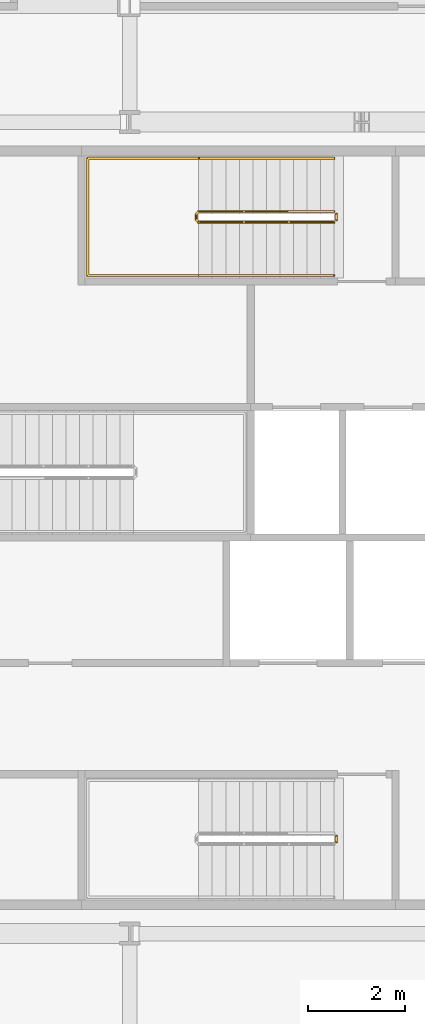
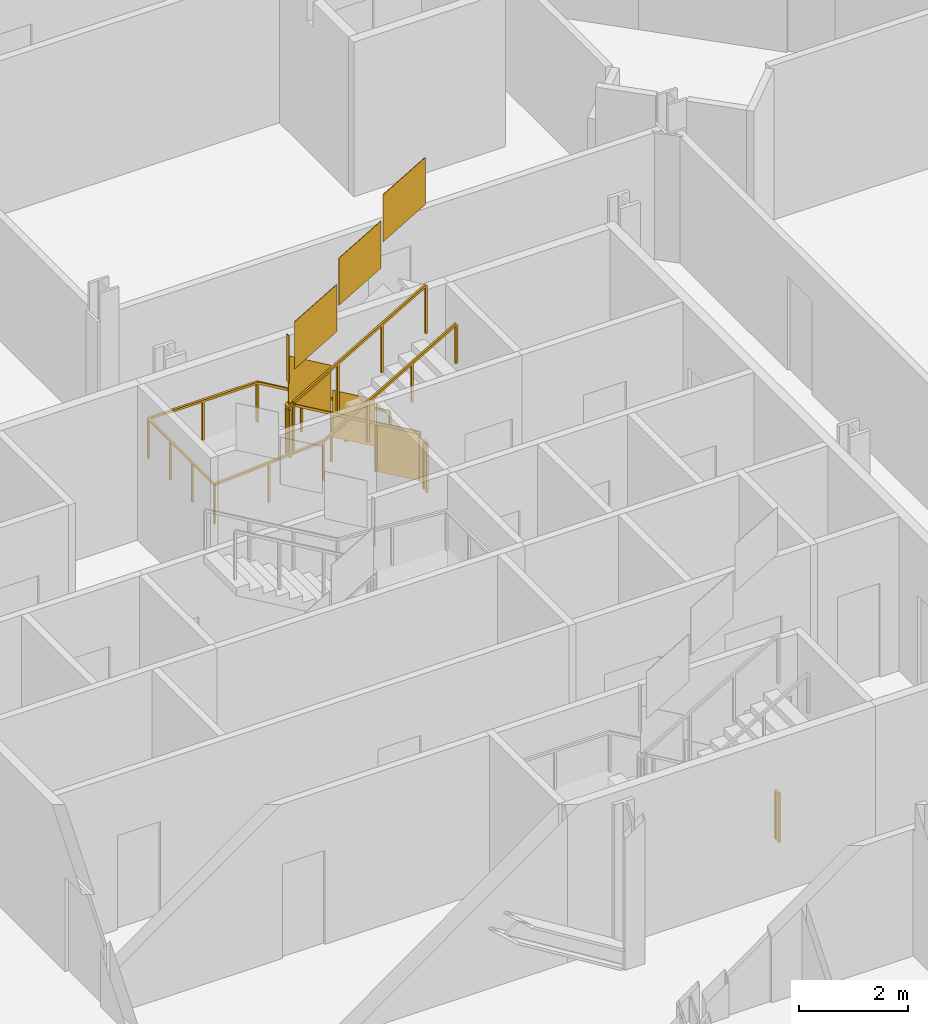
# One storey, part 19 of 21: 4 railings.
"""IFC4 building model written with IfcOpenShell, lengths in metres."""

import ifcopenshell
import ifcopenshell.guid

model = None  # the IFC model being written
_history = None  # IfcOwnerHistory: only IFC2X3 demands one
_inside = {}  # id of a spatial element -> (the spatial element, [elements in it])
_under = {}  # id of a project, library or spatial element -> (it, [spatial elements below it])
_declared = {}  # id of a project -> (the project, [libraries it declares])
_typed = {}  # id of a type object -> (the type object, [elements of that type])
_made_of = {}  # id of a material, layer set ... -> (it, [elements and type objects made of it])


def new_model(schema):
    """Start an empty IFC model of exactly this schema.

    Asked for "IFC4X3", IfcOpenShell would pick the latest addendum, in which some entities
    have other attributes; the version numbers below select the first issue.
    IFC2X3 requires an IfcOwnerHistory on every rooted entity: one is made here for all.
    """
    global model, _history
    if schema == "IFC4X3":
        model = ifcopenshell.file(schema_version=(4, 3, 0, 0))
    else:
        model = ifcopenshell.file(schema=schema)
    _inside.clear()
    _under.clear()
    _declared.clear()
    _typed.clear()
    _made_of.clear()
    _history = None
    if model.schema == "IFC2X3":
        org = make("IfcOrganization", Name="unknown")
        user = make(
            "IfcPersonAndOrganization",
            ThePerson=make("IfcPerson", FamilyName="unknown"),
            TheOrganization=org,
        )
        app = make(
            "IfcApplication",
            ApplicationDeveloper=org,
            Version="unknown",
            ApplicationFullName="unknown",
            ApplicationIdentifier="unknown",
        )
        _history = make(
            "IfcOwnerHistory",
            OwningUser=user,
            OwningApplication=app,
            ChangeAction="ADDED",
            CreationDate=0,
        )
    return model


def make(cls, **values):
    """One entity of the class cls with the attributes given. An attribute that is None is left unset."""
    return model.create_entity(
        cls, **{name: value for name, value in values.items() if value is not None}
    )


def rooted(cls, **values):
    """An entity with a GlobalId (a new one), such as an element, a storey or a relation."""
    return make(cls, GlobalId=ifcopenshell.guid.new(), OwnerHistory=_history, **values)


def si_unit(unit_type, name, prefix=None):
    """IfcSIUnit, for example si_unit("LENGTHUNIT", "METRE", prefix="MILLI")."""
    return make("IfcSIUnit", UnitType=unit_type, Prefix=prefix, Name=name)


def assignment(units):
    """IfcUnitAssignment: the units of a project."""
    return None if units is None else make("IfcUnitAssignment", Units=units)


def point(xyz):
    """IfcCartesianPoint."""
    return None if xyz is None else make("IfcCartesianPoint", Coordinates=xyz)


def direction(xyz):
    """IfcDirection."""
    return None if xyz is None else make("IfcDirection", DirectionRatios=xyz)


def frame(location, z_axis=None, x_axis=None):
    """IfcAxis2Placement3D, a coordinate frame: its origin and axes. An axis left out is left unset."""
    return make(
        "IfcAxis2Placement3D",
        Location=point(location),
        Axis=direction(z_axis),
        RefDirection=direction(x_axis),
    )


def frame_2d(location, x_axis=None):
    """IfcAxis2Placement2D, a coordinate frame in the plane: its origin and x axis."""
    return make(
        "IfcAxis2Placement2D", Location=point(location), RefDirection=direction(x_axis)
    )


def origin():
    """The frame at (0, 0, 0) with its axes left unset."""
    return frame((0.0, 0.0, 0.0))


def origin_2d():
    """The frame at (0, 0) in the plane with its x axis left unset."""
    return frame_2d((0.0, 0.0))


def place(relative_to, where):
    """IfcLocalPlacement: puts the frame where relative to a parent placement (None: the world)."""
    return make(
        "IfcLocalPlacement", PlacementRelTo=relative_to, RelativePlacement=where
    )


def context(
    kind, dimensions, precision=None, world=None, true_north=None, identifier=None
):
    """IfcGeometricRepresentationContext, for example the 3D "Model" context."""
    return make(
        "IfcGeometricRepresentationContext",
        ContextIdentifier=identifier,
        ContextType=kind,
        CoordinateSpaceDimension=dimensions,
        Precision=precision,
        WorldCoordinateSystem=world,
        TrueNorth=true_north,
    )


def subcontext(parent, identifier, kind, view, scale=None):
    """IfcGeometricRepresentationSubContext, for example "Body" below "Model"."""
    return make(
        "IfcGeometricRepresentationSubContext",
        ContextIdentifier=identifier,
        ContextType=kind,
        ParentContext=parent,
        TargetScale=scale,
        TargetView=view,
    )


def project(units=None, contexts=None):
    """IfcProject with its units and contexts."""
    return rooted(
        "IfcProject",
        Name="project",
        RepresentationContexts=contexts,
        UnitsInContext=assignment(units),
    )


def spatial(cls, under=None, at=None, **own):
    """A site, building, storey or space (cls), placed at a placement, below another one or the project."""
    s = rooted(cls, ObjectPlacement=at, **own)
    if under is not None:
        _under.setdefault(under.id(), (under, []))[1].append(s)
    return s


def polyline(points):
    """IfcPolyline through the points."""
    return make("IfcPolyline", Points=[point(p) for p in points])


def profile(cls, at=None, kind="AREA", **sizes):
    """A parametric profile (cls). Its sizes go by their IFC names, for example OverallWidth=200.0."""
    return make(cls, ProfileType=kind, Position=at, **sizes)


def rectangle(**sizes):
    """IfcRectangleProfileDef."""
    return profile("IfcRectangleProfileDef", **sizes)


def outline(outer, holes=None, kind="AREA"):
    """IfcArbitraryClosedProfileDef: a profile drawn as a closed curve; with holes, ...WithVoids."""
    if holes is None:
        return make("IfcArbitraryClosedProfileDef", ProfileType=kind, OuterCurve=outer)
    return make(
        "IfcArbitraryProfileDefWithVoids",
        ProfileType=kind,
        OuterCurve=outer,
        InnerCurves=holes,
    )


def extrude(swept, where, along, depth):
    """IfcExtrudedAreaSolid: the profile swept, set in the frame where, extruded along a direction by depth."""
    return make(
        "IfcExtrudedAreaSolid",
        SweptArea=swept,
        Position=where,
        ExtrudedDirection=direction(along),
        Depth=depth,
    )


def shape(context_of_items, identifier, shape_type, items):
    """IfcShapeRepresentation: the items that make up one representation, for example the "Body"."""
    return make(
        "IfcShapeRepresentation",
        ContextOfItems=context_of_items,
        RepresentationIdentifier=identifier,
        RepresentationType=shape_type,
        Items=items,
    )


def material(Name=None, Category=None):
    """IfcMaterial."""
    return make("IfcMaterial", Name=Name, Category=Category)


def made_of(thing, what):
    """Note that an element or type object is made of a material, layer set ...; save() writes the relation."""
    if what is not None:
        _made_of.setdefault(what.id(), (what, []))[1].append(thing)
    return thing


def type_object(cls, material=None, **own):
    """A type object (cls), such as IfcWallType, which elements share."""
    return made_of(rooted(cls, **own), material)


def element(
    cls,
    number,
    at=None,
    inside=None,
    cuts=None,
    type_object=None,
    material=None,
    context=None,
    identifier="Body",
    shape_type=None,
    held_by="IfcProductDefinitionShape",
    body=None,
    shapes=None,
    **own,
):
    """One element of the class cls, such as IfcWall. Its Tag is "e" and its number.

    at: its placement. inside: the storey or other place that contains it. cuts: it is an
    opening in that element (IfcRelVoidsElement). A single representation is given by context,
    identifier, shape_type and body (its items); several are given by shapes. held_by: the class
    of the entity that holds the representations. save() writes the other relations.
    """
    e = rooted(cls, Tag="e%d" % number, ObjectPlacement=at, **own)
    if body is not None:
        shapes = [shape(context, identifier, shape_type, body)]
    if shapes is not None:
        e.Representation = make(held_by, Representations=shapes)
    if inside is not None:
        _inside.setdefault(inside.id(), (inside, []))[1].append(e)
    if cuts is not None:
        rooted(
            "IfcRelVoidsElement", RelatingBuildingElement=cuts, RelatedOpeningElement=e
        )
    if type_object is not None:
        _typed.setdefault(type_object.id(), (type_object, []))[1].append(e)
    return made_of(e, material)


def aggregate(whole, parts):
    """IfcRelAggregates: a whole, such as a stair, and the parts it consists of."""
    return rooted("IfcRelAggregates", RelatingObject=whole, RelatedObjects=parts)


def save(model, path):
    """Write the relations noted so far, then the file.

    IfcRelAggregates (storeys below a building ...), IfcRelContainedInSpatialStructure (elements
    in a storey), IfcRelDefinesByType, IfcRelAssociatesMaterial and IfcRelDeclares: one each for
    every whole, place, type object, material and project.
    """
    for whole, parts in _under.values():
        aggregate(whole, parts)
    for where, things in _inside.values():
        rooted(
            "IfcRelContainedInSpatialStructure",
            RelatedElements=things,
            RelatingStructure=where,
        )
    for kind, things in _typed.values():
        rooted("IfcRelDefinesByType", RelatedObjects=things, RelatingType=kind)
    for what, things in _made_of.values():
        rooted("IfcRelAssociatesMaterial", RelatedObjects=things, RelatingMaterial=what)
    for by, libraries in _declared.values():
        rooted("IfcRelDeclares", RelatingContext=by, RelatedDefinitions=libraries)
    model.write(path)


model = new_model("IFC4")

# Units and contexts
model_context = context("Model", 3, precision=1e-05, world=origin(), true_north=direction((0.0, 1.0)))
body_context = subcontext(model_context, "Body", "Model", "MODEL_VIEW")
ifc_project = project(units=[si_unit("LENGTHUNIT", "METRE"), si_unit("AREAUNIT", "SQUARE_METRE"), si_unit("VOLUMEUNIT", "CUBIC_METRE"), si_unit("PLANEANGLEUNIT", "RADIAN"), si_unit("MASSUNIT", "GRAM", prefix="KILO")], contexts=[model_context])

# Site, building, storey
site_placement = place(None, origin())
site = spatial("IfcSite", under=ifc_project, at=site_placement, CompositionType="ELEMENT")
building_placement = place(site_placement, origin())
building = spatial("IfcBuilding", under=site, at=building_placement, Name="Cairn Pilgrim Tower", CompositionType="ELEMENT")
storey_placement = place(building_placement, frame((0.0, 0.0, 139.800048828125)))
storey = spatial("IfcBuildingStorey", under=building, at=storey_placement, Name="L34", CompositionType="ELEMENT", Elevation=139.800048828125)

# Railings
ifc_material = material(Name="Painted steel", Category="steel")
railing_type_1 = type_object("IfcRailingType", Name="STAIR GUARD 1100", PredefinedType="GUARDRAIL", material=ifc_material)
railing_1_placement = place(storey_placement, frame((11.47509765625, -3.97509765625, 0.0)))
element("IfcRailing", 1, at=railing_1_placement, inside=storey, type_object=railing_type_1, Name="L34 ST-A stair guard 2", PredefinedType="GUARDRAIL", context=body_context, shape_type="SweptSolid", body=[
    extrude(rectangle(XDim=0.048095703125, YDim=0.048095703125, at=origin_2d()), frame((0.0, 0.0, 1.076171875), z_axis=(0.0, -1.0, 0.0), x_axis=(1.0, 0.0, 0.0)), (0.0, 0.0, 1.0), 0.125),
    extrude(rectangle(XDim=0.0419921875, YDim=0.0419921875, at=origin_2d()), origin(), (0.0, 0.0, 1.0), 1.052001953125),
    extrude(rectangle(XDim=0.0419921875, YDim=0.0419921875, at=origin_2d()), frame((0.0, -0.125, 0.0)), (0.0, 0.0, 1.0), 1.052001953125),
    extrude(outline(polyline([(0.02099609375, 0.0), (0.10400390625, 0.0), (0.10400390625, 1.052001953125), (0.02099609375, 1.052001953125), (0.02099609375, 0.0)])), frame((0.005859375, 0.0, 0.0), z_axis=(-1.0, 0.0, 0.0), x_axis=(0.0, -1.0, 0.0)), (0.0, 0.0, 1.0), 0.011962890625),
])
railing_2_placement = place(storey_placement, frame((11.425048828125, 8.949951171875, 0.16357421875)))
element("IfcRailing", 2, at=railing_2_placement, inside=storey, type_object=railing_type_1, Name="L34 ST-C stair guard 1", PredefinedType="GUARDRAIL", context=body_context, shape_type="SweptSolid", body=[
    extrude(rectangle(XDim=0.048095703125, YDim=0.048095703125, at=origin_2d()), frame((0.0, 0.0, 1.076171875), z_axis=(-0.863360870873, 0.0, 0.504586966384), x_axis=(0.0, -1.0, 0.0)), (0.0, 0.0, 1.0), 3.2431640625),
    extrude(rectangle(XDim=0.048095703125, YDim=0.048095703125, at=origin_2d()), frame((-2.800048828125, 0.0, 2.71240234375), z_axis=(-0.707106781187, -0.707106781187, 0.0), x_axis=(0.707106781187, -0.707106781187, 0.0)), (0.0, 0.0, 1.0), 0.07080078125),
    extrude(rectangle(XDim=0.048095703125, YDim=0.048095703125, at=origin_2d()), frame((-2.85009765625, -0.050048828125, 2.71240234375), z_axis=(0.0, -1.0, 0.0), x_axis=(1.0, 0.0, 0.0)), (0.0, 0.0, 1.0), 0.125),
    extrude(rectangle(XDim=0.048095703125, YDim=0.048095703125, at=origin_2d()), frame((-2.85009765625, -0.175048828125, 2.71240234375), z_axis=(0.280916556609, -0.279546231943, 0.91811752648), x_axis=(0.705375805398, 0.708833529934, 0.0)), (0.0, 0.0, 1.0), 0.17822265625),
    extrude(rectangle(XDim=0.048095703125, YDim=0.048095703125, at=origin_2d()), frame((-2.800048828125, -0.224853515625, 2.8759765625), z_axis=(0.863393664356, 0.0, 0.504530851732), x_axis=(0.0, 1.0, 0.0)), (0.0, 0.0, 1.0), 3.2431640625),
    extrude(rectangle(XDim=0.0419921875, YDim=0.0419921875, at=origin_2d()), origin(), (0.0, 0.0, 1.0), 1.052001953125),
    extrude(rectangle(XDim=0.0419921875, YDim=0.0419921875, at=origin_2d()), frame((-0.933349609375, 0.0, 0.54541015625)), (0.0, 0.0, 1.0), 1.052001953125),
    extrude(rectangle(XDim=0.0419921875, YDim=0.0419921875, at=origin_2d()), frame((-1.86669921875, 0.0, 1.091064453125)), (0.0, 0.0, 1.0), 1.052001953125),
    extrude(rectangle(XDim=0.0419921875, YDim=0.0419921875, at=origin_2d()), frame((-2.800048828125, 0.0, 1.636474609375)), (0.0, 0.0, 1.0), 1.052001953125),
    extrude(rectangle(XDim=0.0419921875, YDim=0.0419921875, at=origin_2d()), frame((-2.85009765625, -0.050048828125, 1.636474609375)), (0.0, 0.0, 1.0), 1.052001953125),
    extrude(rectangle(XDim=0.0419921875, YDim=0.0419921875, at=origin_2d()), frame((-2.85009765625, -0.175048828125, 1.636474609375)), (0.0, 0.0, 1.0), 1.052001953125),
    extrude(rectangle(XDim=0.0419921875, YDim=0.0419921875, at=origin_2d()), frame((-2.800048828125, -0.224853515625, 1.800048828125)), (0.0, 0.0, 1.0), 1.052001953125),
    extrude(rectangle(XDim=0.0419921875, YDim=0.0419921875, at=origin_2d()), frame((-1.86669921875, -0.224853515625, 2.345458984375)), (0.0, 0.0, 1.0), 1.052001953125),
    extrude(rectangle(XDim=0.0419921875, YDim=0.0419921875, at=origin_2d()), frame((-0.933349609375, -0.224853515625, 2.890869140625)), (0.0, 0.0, 1.0), 1.052001953125),
    extrude(rectangle(XDim=0.0419921875, YDim=0.0419921875, at=origin_2d()), frame((0.0, -0.224853515625, 3.436279296875)), (0.0, 0.0, 1.0), 1.052001953125),
    extrude(outline(polyline([(0.02099609375, 0.01220703125), (0.912353515625, 0.533203125), (0.912353515625, 1.585205078125), (0.02099609375, 1.064208984375), (0.02099609375, 0.01220703125)])), frame((0.0, -0.005859375, 0.0), z_axis=(0.0, 1.0, 0.0), x_axis=(-1.0, 0.0, 0.0)), (0.0, 0.0, 1.0), 0.011962890625),
    extrude(outline(polyline([(0.02099609375, 0.557861328125), (0.912353515625, 1.07861328125), (0.912353515625, 2.130615234375), (0.02099609375, 1.60986328125), (0.02099609375, 0.557861328125)])), frame((-0.933349609375, -0.005859375, 0.54541015625), z_axis=(0.0, 1.0, 0.0), x_axis=(-1.0, 0.0, 0.0)), (0.0, 0.0, 1.0), 0.011962890625),
    extrude(outline(polyline([(0.02099609375, 1.103271484375), (0.912353515625, 1.624267578125), (0.912353515625, 2.67626953125), (0.02099609375, 2.1552734375), (0.02099609375, 1.103271484375)])), frame((-1.86669921875, -0.005859375, 1.091064453125), z_axis=(0.0, 1.0, 0.0), x_axis=(-1.0, 0.0, 0.0)), (0.0, 0.0, 1.0), 0.011962890625),
    extrude(outline(polyline([(0.02099609375, 1.636474609375), (0.10400390625, 1.636474609375), (0.10400390625, 2.6884765625), (0.02099609375, 2.6884765625), (0.02099609375, 1.636474609375)])), frame((-2.84423828125, -0.050048828125, 1.636474609375), z_axis=(-1.0, 0.0, 0.0), x_axis=(0.0, -1.0, 0.0)), (0.0, 0.0, 1.0), 0.011962890625),
    extrude(outline(polyline([(0.02099609375, 1.812255859375), (0.912353515625, 2.333251953125), (0.912353515625, 3.38525390625), (0.02099609375, 2.8642578125), (0.02099609375, 1.812255859375)])), frame((-2.800048828125, -0.21875, 1.800048828125), z_axis=(0.0, -1.0, 0.0), x_axis=(1.0, 0.0, 0.0)), (0.0, 0.0, 1.0), 0.011962890625),
    extrude(outline(polyline([(0.02099609375, 2.357666015625), (0.912353515625, 2.878662109375), (0.912353515625, 3.9306640625), (0.02099609375, 3.40966796875), (0.02099609375, 2.357666015625)])), frame((-1.86669921875, -0.21875, 2.345458984375), z_axis=(0.0, -1.0, 0.0), x_axis=(1.0, 0.0, 0.0)), (0.0, 0.0, 1.0), 0.011962890625),
    extrude(outline(polyline([(0.02099609375, 2.903076171875), (0.912353515625, 3.424072265625), (0.912353515625, 4.47607421875), (0.02099609375, 3.955078125), (0.02099609375, 2.903076171875)])), frame((-0.933349609375, -0.21875, 2.890869140625), z_axis=(0.0, -1.0, 0.0), x_axis=(1.0, 0.0, 0.0)), (0.0, 0.0, 1.0), 0.011962890625),
])
railing_3_placement = place(storey_placement, frame((11.47509765625, 8.89990234375, 0.0)))
element("IfcRailing", 3, at=railing_3_placement, inside=storey, type_object=railing_type_1, Name="L34 ST-C stair guard 2", PredefinedType="GUARDRAIL", context=body_context, shape_type="SweptSolid", body=[
    extrude(rectangle(XDim=0.048095703125, YDim=0.048095703125, at=origin_2d()), frame((0.0, 0.0, 1.076171875), z_axis=(0.0, -1.0, 0.0), x_axis=(1.0, 0.0, 0.0)), (0.0, 0.0, 1.0), 0.125),
    extrude(rectangle(XDim=0.0419921875, YDim=0.0419921875, at=origin_2d()), origin(), (0.0, 0.0, 1.0), 1.052001953125),
    extrude(rectangle(XDim=0.0419921875, YDim=0.0419921875, at=origin_2d()), frame((0.0, -0.125, 0.0)), (0.0, 0.0, 1.0), 1.052001953125),
    extrude(outline(polyline([(0.02099609375, 0.0), (0.10400390625, 0.0), (0.10400390625, 1.052001953125), (0.02099609375, 1.052001953125), (0.02099609375, 0.0)])), frame((0.005859375, 0.0, 0.0), z_axis=(-1.0, 0.0, 0.0), x_axis=(0.0, -1.0, 0.0)), (0.0, 0.0, 1.0), 0.011962890625),
])
railing_type_2 = type_object("IfcRailingType", Name="STAIR HANDRAIL 900", PredefinedType="HANDRAIL", material=ifc_material)
railing_4_placement = place(storey_placement, frame((11.425048828125, 10.050048828125, 0.16357421875)))
element("IfcRailing", 4, at=railing_4_placement, inside=storey, type_object=railing_type_2, Name="L34 ST-C stair handrail 1", PredefinedType="HANDRAIL", context=body_context, shape_type="SweptSolid", body=[
    extrude(rectangle(XDim=0.048095703125, YDim=0.048095703125, at=origin_2d()), frame((0.0, 0.0, 0.8759765625), z_axis=(-0.863360870873, 0.0, 0.504586966384), x_axis=(0.0, -1.0, 0.0)), (0.0, 0.0, 1.0), 3.2431640625),
    extrude(rectangle(XDim=0.048095703125, YDim=0.048095703125, at=origin_2d()), frame((-2.800048828125, 0.0, 2.51220703125), z_axis=(-1.0, 0.0, 0.0), x_axis=(0.0, -1.0, 0.0)), (0.0, 0.0, 1.0), 2.300048828125),
    extrude(rectangle(XDim=0.048095703125, YDim=0.048095703125, at=origin_2d()), frame((-5.10009765625, 0.0, 2.51220703125), z_axis=(0.0, -1.0, 0.0), x_axis=(1.0, 0.0, 0.0)), (0.0, 0.0, 1.0), 2.425048828125),
    extrude(rectangle(XDim=0.048095703125, YDim=0.048095703125, at=origin_2d()), frame((-5.10009765625, -2.425048828125, 2.51220703125), z_axis=(0.997480687736, 0.0, 0.070938548008), x_axis=(0.0, 1.0, 0.0)), (0.0, 0.0, 1.0), 2.305908203125),
    extrude(rectangle(XDim=0.048095703125, YDim=0.048095703125, at=origin_2d()), frame((-2.800048828125, -2.425048828125, 2.67578125), z_axis=(0.863393664356, 0.0, 0.504530851732), x_axis=(0.0, 1.0, 0.0)), (0.0, 0.0, 1.0), 3.2431640625),
    extrude(rectangle(XDim=0.0419921875, YDim=0.0419921875, at=origin_2d()), origin(), (0.0, 0.0, 1.0), 0.851806640625),
    extrude(rectangle(XDim=0.0419921875, YDim=0.0419921875, at=origin_2d()), frame((-0.933349609375, 0.0, 0.54541015625)), (0.0, 0.0, 1.0), 0.851806640625),
    extrude(rectangle(XDim=0.0419921875, YDim=0.0419921875, at=origin_2d()), frame((-1.86669921875, 0.0, 1.091064453125)), (0.0, 0.0, 1.0), 0.851806640625),
    extrude(rectangle(XDim=0.0419921875, YDim=0.0419921875, at=origin_2d()), frame((-2.800048828125, 0.0, 1.636474609375)), (0.0, 0.0, 1.0), 0.851806640625),
    extrude(rectangle(XDim=0.0419921875, YDim=0.0419921875, at=origin_2d()), frame((-3.9501953125, 0.0, 1.636474609375)), (0.0, 0.0, 1.0), 0.851806640625),
    extrude(rectangle(XDim=0.0419921875, YDim=0.0419921875, at=origin_2d()), frame((-5.10009765625, 0.0, 1.636474609375)), (0.0, 0.0, 1.0), 0.851806640625),
    extrude(rectangle(XDim=0.0419921875, YDim=0.0419921875, at=origin_2d()), frame((-5.10009765625, -0.808349609375, 1.636474609375)), (0.0, 0.0, 1.0), 0.851806640625),
    extrude(rectangle(XDim=0.0419921875, YDim=0.0419921875, at=origin_2d()), frame((-5.10009765625, -1.61669921875, 1.636474609375)), (0.0, 0.0, 1.0), 0.851806640625),
    extrude(rectangle(XDim=0.0419921875, YDim=0.0419921875, at=origin_2d()), frame((-5.10009765625, -2.425048828125, 1.636474609375)), (0.0, 0.0, 1.0), 0.851806640625),
    extrude(rectangle(XDim=0.0419921875, YDim=0.0419921875, at=origin_2d()), frame((-3.9501953125, -2.425048828125, 1.71826171875)), (0.0, 0.0, 1.0), 0.851806640625),
    extrude(rectangle(XDim=0.0419921875, YDim=0.0419921875, at=origin_2d()), frame((-2.800048828125, -2.425048828125, 1.800048828125)), (0.0, 0.0, 1.0), 0.851806640625),
    extrude(rectangle(XDim=0.0419921875, YDim=0.0419921875, at=origin_2d()), frame((-1.86669921875, -2.425048828125, 2.345458984375)), (0.0, 0.0, 1.0), 0.851806640625),
    extrude(rectangle(XDim=0.0419921875, YDim=0.0419921875, at=origin_2d()), frame((-0.933349609375, -2.425048828125, 2.890869140625)), (0.0, 0.0, 1.0), 0.851806640625),
    extrude(rectangle(XDim=0.0419921875, YDim=0.0419921875, at=origin_2d()), frame((0.0, -2.425048828125, 3.436279296875)), (0.0, 0.0, 1.0), 0.851806640625),
])

save(model, "model.ifc")
